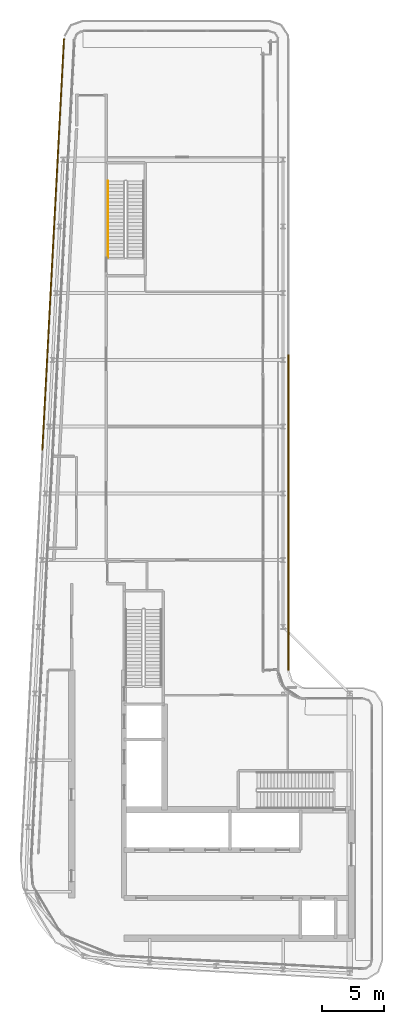
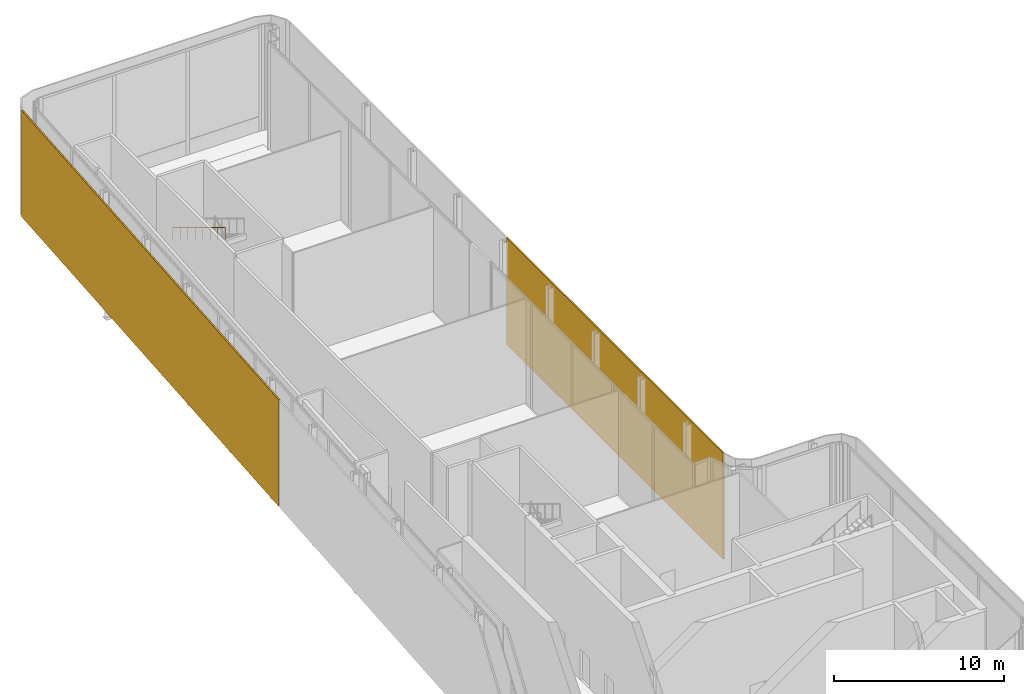
# One storey, part 22 of 23: 2 shading devices, 1 railing.
"""IFC4 building model written with IfcOpenShell, lengths in metres."""

from ifc_helpers import new_model, si_unit, direction, frame, origin, origin_2d, place, context, subcontext, project, spatial, rectangle, circle, extrude, material, layer, layer_set, type_object, element, save


model = new_model("IFC4")

# Units and contexts
model_context = context("Model", 3, precision=1e-05, world=origin(), true_north=direction((0.0, 1.0)))
body_context = subcontext(model_context, "Body", "Model", "MODEL_VIEW")
ifc_project = project(units=[si_unit("LENGTHUNIT", "METRE"), si_unit("AREAUNIT", "SQUARE_METRE"), si_unit("VOLUMEUNIT", "CUBIC_METRE"), si_unit("PLANEANGLEUNIT", "RADIAN"), si_unit("MASSUNIT", "GRAM", prefix="KILO")], contexts=[model_context])

# Site, building, storey
site_placement = place(None, origin())
site = spatial("IfcSite", under=ifc_project, at=site_placement, CompositionType="ELEMENT")
building_placement = place(site_placement, origin())
building = spatial("IfcBuilding", under=site, at=building_placement, Name="Kheshtan School and Residences Tower", CompositionType="ELEMENT")
storey_placement = place(building_placement, frame((0.0, 0.0, 389.0)))
storey = spatial("IfcBuildingStorey", under=building, at=storey_placement, Name="L92", CompositionType="ELEMENT", Elevation=389.0)

# Shading devices
ifc_material_1 = material(Name="Terracotta baguette, extruded ceramic", Category="masonry")
ifc_layer_1 = layer(ifc_material_1, 0.10009765625)
ifc_layer_set_1 = layer_set([ifc_layer_1], Name="Ledge screen, terracotta baguettes")
shading_device_type_1 = type_object("IfcShadingDeviceType", Name="Ledge screen, terracotta baguettes", PredefinedType="USERDEFINED", material=ifc_layer_set_1)
shading_device_1_placement = place(storey_placement, frame((28.9990234375, 81.93408203125, 0.0), z_axis=(0.0, 0.0, 1.0), x_axis=(0.052562536748, 0.998617634398, 0.0)))
element("IfcShadingDevice", 1, at=shading_device_1_placement, inside=storey, type_object=shading_device_type_1, Name="Screen L92 6", ObjectType="BAGUETTE", PredefinedType="USERDEFINED", context=body_context, shape_type="SweptSolid", body=[
    extrude(rectangle(XDim=33.341064453125, YDim=0.10009765625, at=origin_2d()), origin(), (0.0, 0.0, 1.0), 7.64990234375),
])
ifc_material_2 = material(Name="Terracotta lattice, extruded ceramic", Category="masonry")
ifc_layer_2 = layer(ifc_material_2, 0.10009765625)
ifc_layer_set_2 = layer_set([ifc_layer_2], Name="Loggia screen, terracotta lattice")
shading_device_type_2 = type_object("IfcShadingDeviceType", Name="Loggia screen, terracotta lattice", PredefinedType="USERDEFINED", material=ifc_layer_set_2)
shading_device_2_placement = place(storey_placement, frame((48.050048828125, 60.25, 0.0), z_axis=(0.0, 0.0, 1.0), x_axis=(0.0, -1.0, 0.0)))
element("IfcShadingDevice", 2, at=shading_device_2_placement, inside=storey, type_object=shading_device_type_2, Name="Screen L92 3", ObjectType="SCREEN", PredefinedType="USERDEFINED", context=body_context, shape_type="SweptSolid", body=[
    extrude(rectangle(XDim=25.5, YDim=0.10009765625, at=origin_2d()), origin(), (0.0, 0.0, 1.0), 7.64990234375),
])

# Railing
ifc_material_3 = material(Name="Stainless steel handrail", Category="steel")
railing_type = type_object("IfcRailingType", Name="Stair handrail 900", PredefinedType="HANDRAIL", material=ifc_material_3)
railing_placement = place(storey_placement, frame((33.449951171875, 87.06005859375, 4.069580078125)))
element("IfcRailing", 3, at=railing_placement, inside=storey, type_object=railing_type, Name="L92 ST3 stair handrail 2", PredefinedType="HANDRAIL", context=body_context, shape_type="SweptSolid", body=[
    extrude(circle(Radius=0.02392578125, at=origin_2d()), frame((0.0, 0.0, 0.8759765625), z_axis=(0.0, -0.855379917629, 0.518001154937), x_axis=(1.0, 0.0, 0.0)), (0.0, 0.0, 1.0), 7.20166015625),
    extrude(circle(Radius=0.02099609375, at=origin_2d()), origin(), (0.0, 0.0, 1.0), 0.851806640625),
    extrude(circle(Radius=0.02099609375, at=origin_2d()), frame((0.0, -0.880126953125, 0.532958984375)), (0.0, 0.0, 1.0), 0.851806640625),
    extrude(circle(Radius=0.02099609375, at=origin_2d()), frame((0.0, -1.760009765625, 1.06591796875)), (0.0, 0.0, 1.0), 0.851806640625),
    extrude(circle(Radius=0.02099609375, at=origin_2d()), frame((0.0, -2.64013671875, 1.598876953125)), (0.0, 0.0, 1.0), 0.851806640625),
    extrude(circle(Radius=0.02099609375, at=origin_2d()), frame((0.0, -3.52001953125, 2.131591796875)), (0.0, 0.0, 1.0), 0.851806640625),
    extrude(circle(Radius=0.02099609375, at=origin_2d()), frame((0.0, -4.400146484375, 2.66455078125)), (0.0, 0.0, 1.0), 0.851806640625),
    extrude(circle(Radius=0.02099609375, at=origin_2d()), frame((0.0, -5.280029296875, 3.197509765625)), (0.0, 0.0, 1.0), 0.851806640625),
    extrude(circle(Radius=0.02099609375, at=origin_2d()), frame((0.0, -6.16015625, 3.73046875)), (0.0, 0.0, 1.0), 0.851806640625),
])

save(model, "model.ifc")
